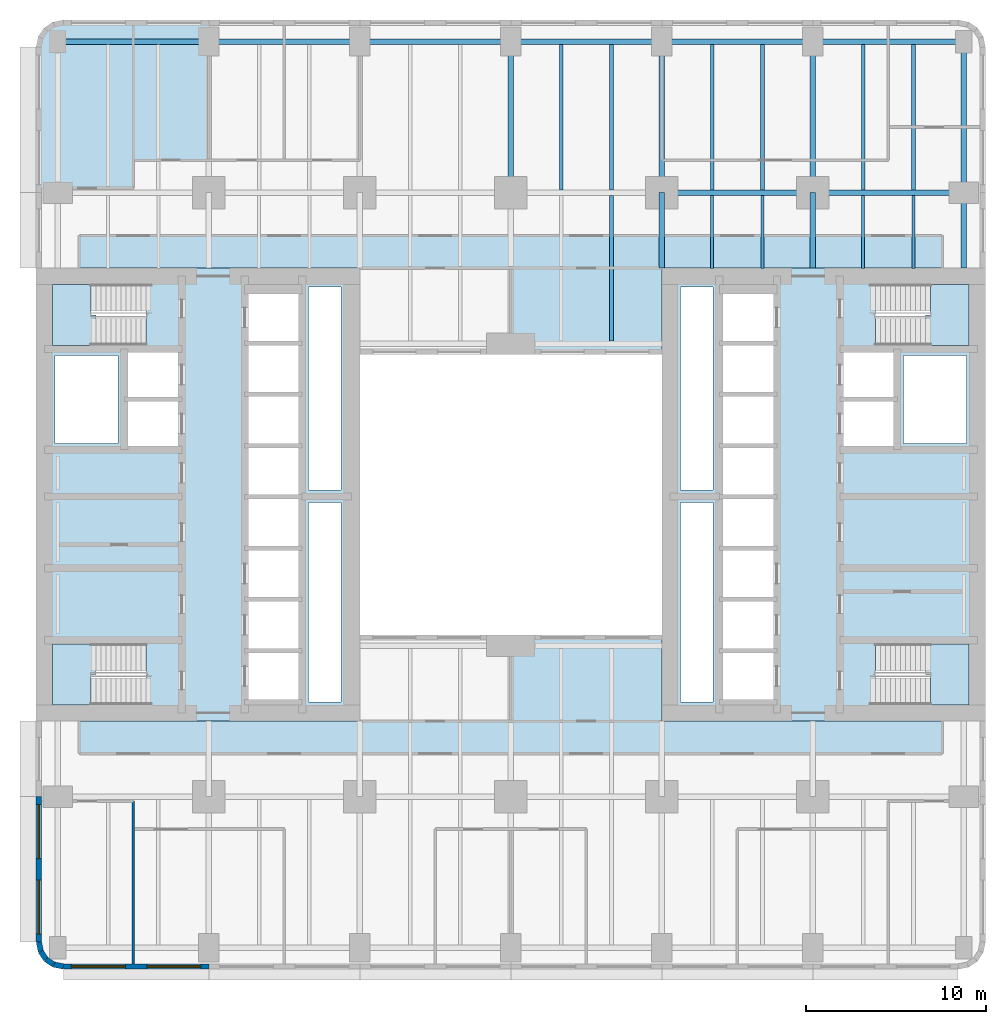
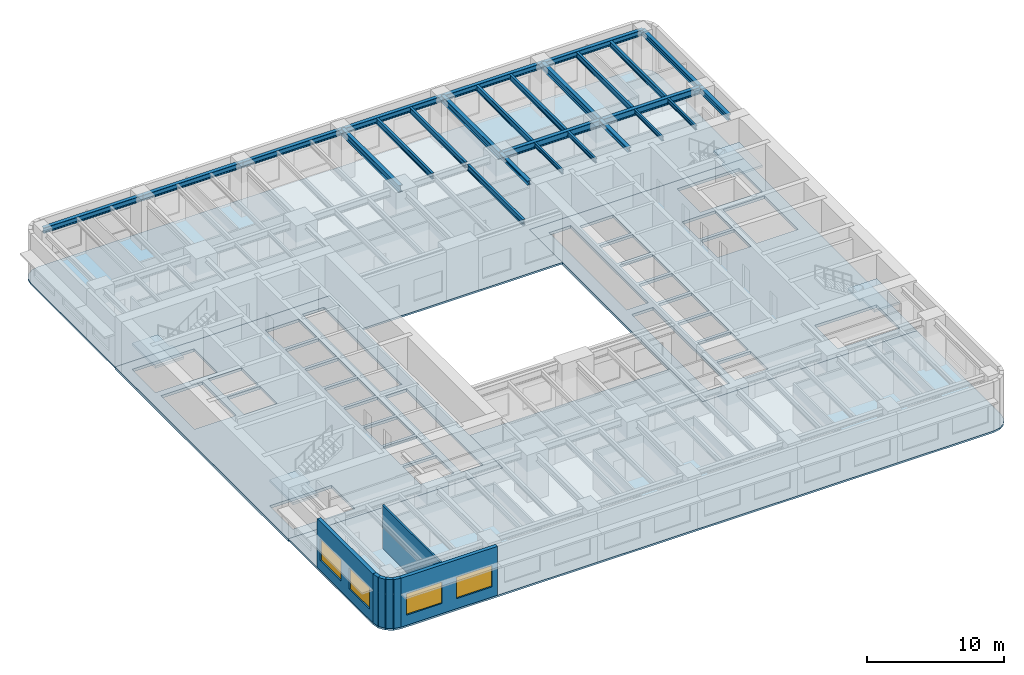
# One storey, part 2 of 14: 26 beams, 8 slabs, 7 walls, 4 windows, 4 openings, 4 elements without a shape of their own.
"""IFC4 building model written with IfcOpenShell, lengths in metres."""

from ifc_helpers import new_model, si_unit, direction, frame, frame_2d, origin, origin_2d, place, context, subcontext, project, spatial, polyline, rectangle, i_section, outline, extrude, material, layer, layer_set, material_profile, profile_set, type_object, element, fill, aggregate, save


model = new_model("IFC4")

# Units and contexts
model_context = context("Model", 3, precision=1e-05, world=origin(), true_north=direction((0.0, 1.0)))
body_context = subcontext(model_context, "Body", "Model", "MODEL_VIEW")
ifc_project = project(units=[si_unit("LENGTHUNIT", "METRE"), si_unit("AREAUNIT", "SQUARE_METRE"), si_unit("VOLUMEUNIT", "CUBIC_METRE"), si_unit("PLANEANGLEUNIT", "RADIAN"), si_unit("MASSUNIT", "GRAM", prefix="KILO")], contexts=[model_context])

# Site, building, storey
site_placement = place(None, origin())
site = spatial("IfcSite", under=ifc_project, at=site_placement, CompositionType="ELEMENT")
building_placement = place(site_placement, origin())
building = spatial("IfcBuilding", under=site, at=building_placement, Name="Claustro Exchange Tower", CompositionType="ELEMENT")
storey_placement = place(building_placement, frame((0.0, 0.0, 77.39990234375)))
storey = spatial("IfcBuildingStorey", under=building, at=storey_placement, Name="L17", CompositionType="ELEMENT", Elevation=77.39990234375)

# Beams
ifc_material_1 = material(Name="Steel S355", Category="steel")
ifc_material_profile_1 = material_profile(ifc_material_1, i_section(OverallWidth=0.300048828125, OverallDepth=0.60009765625, WebThickness=0.015380859375, FlangeThickness=0.030029296875, FilletRadius=0.027099609375, at=origin_2d()), Name="HE 600 B")
ifc_profile_set_1 = profile_set([ifc_material_profile_1], Name="Steel S355")
beam_type_1 = type_object("IfcBeamType", Name="B1 HE 600 B floor girder", PredefinedType="BEAM", material=ifc_profile_set_1)
for number, where, z_axis, x_axis, name in (
    (1, (25.199951171875, 42.0, 4.0400390625), (0.0, 1.0, 0.0), (-1.0, 0.0, 0.0), "Beam B1 L18"),
    (2, (33.60009765625, 42.0, 4.0400390625), (0.0, 1.0, 0.0), (-1.0, 0.0, 0.0), "Beam B1 L18"),
    (3, (42.0, 42.0, 4.0400390625), (0.0, 1.0, 0.0), (-1.0, 0.0, 0.0), "Beam B1 L18"),
    (4, (33.60009765625, 42.0, 4.0400390625), (1.0, 0.0, 0.0), (0.0, 1.0, 0.0), "Beam B1 L18"),
    (5, (42.0, 42.0, 4.0400390625), (1.0, 0.0, 0.0), (0.0, 1.0, 0.0), "Beam B1 L18"),
):
    element("IfcBeam", number, at=place(storey_placement, frame(where, z_axis=z_axis, x_axis=x_axis)), inside=storey, type_object=beam_type_1, Name=name, PredefinedType="BEAM", context=body_context, shape_type="SweptSolid", body=[
        extrude(i_section(OverallWidth=0.300048828125, OverallDepth=0.60009765625, WebThickness=0.015380859375, FlangeThickness=0.030029296875, FilletRadius=0.027099609375, at=origin_2d()), origin(), (0.0, 0.0, 1.0), 8.39990234375),
    ])
ifc_material_2 = material(Name="Steel S355", Category="steel")
ifc_material_profile_2 = material_profile(ifc_material_2, i_section(OverallWidth=0.169921875, OverallDepth=0.360107421875, WebThickness=0.008056640625, FlangeThickness=0.0126953125, FilletRadius=0.01806640625, at=origin_2d()), Name="IPE 360")
ifc_profile_set_2 = profile_set([ifc_material_profile_2], Name="Steel S355")
beam_type_2 = type_object("IfcBeamType", Name="B16 IPE 360 short-span beam", PredefinedType="BEAM", material=ifc_profile_set_2)
for number, where, z_axis, x_axis, name in (
    (6, (36.39990234375, 37.7900390625, 4.16015625), (0.0, 1.0, 0.0), (-1.0, 0.0, 0.0), "Beam B16 L18"),
    (7, (39.199951171875, 37.7900390625, 4.16015625), (0.0, 1.0, 0.0), (-1.0, 0.0, 0.0), "Beam B16 L18"),
    (8, (44.800048828125, 37.7900390625, 4.16015625), (0.0, 1.0, 0.0), (-1.0, 0.0, 0.0), "Beam B16 L18"),
    (9, (47.60009765625, 37.7900390625, 4.16015625), (0.0, 1.0, 0.0), (-1.0, 0.0, 0.0), "Beam B16 L18"),
):
    element("IfcBeam", number, at=place(storey_placement, frame(where, z_axis=z_axis, x_axis=x_axis)), inside=storey, type_object=beam_type_2, Name=name, PredefinedType="BEAM", context=body_context, shape_type="SweptSolid", body=[
        extrude(i_section(OverallWidth=0.169921875, OverallDepth=0.360107421875, WebThickness=0.008056640625, FlangeThickness=0.0126953125, FilletRadius=0.01806640625, at=origin_2d()), origin(), (0.0, 0.0, 1.0), 4.06005859375),
    ])
ifc_material_3 = material(Name="Steel S355", Category="steel")
ifc_material_profile_3 = material_profile(ifc_material_3, i_section(OverallWidth=0.199951171875, OverallDepth=0.5, WebThickness=0.01025390625, FlangeThickness=0.01611328125, FilletRadius=0.02099609375, at=origin_2d()), Name="IPE 500")
ifc_profile_set_3 = profile_set([ifc_material_profile_3], Name="Steel S355")
beam_type_3 = type_object("IfcBeamType", Name="B2 IPE 500 secondary beam", PredefinedType="BEAM", material=ifc_profile_set_3)
for number, where, z_axis, x_axis, name in (
    (10, (30.800048828125, 33.75, 4.090087890625), (0.0, 1.0, 0.0), (-1.0, 0.0, 0.0), "Beam B2 L18"),
    (11, (28.0, 42.14990234375, 4.090087890625), (0.0, 1.0, 0.0), (-1.0, 0.0, 0.0), "Beam B2 L18"),
    (12, (30.800048828125, 42.14990234375, 4.090087890625), (0.0, 1.0, 0.0), (-1.0, 0.0, 0.0), "Beam B2 L18"),
    (13, (36.39990234375, 42.14990234375, 4.090087890625), (0.0, 1.0, 0.0), (-1.0, 0.0, 0.0), "Beam B2 L18"),
    (14, (39.199951171875, 42.14990234375, 4.090087890625), (0.0, 1.0, 0.0), (-1.0, 0.0, 0.0), "Beam B2 L18"),
    (15, (44.800048828125, 42.14990234375, 4.090087890625), (0.0, 1.0, 0.0), (-1.0, 0.0, 0.0), "Beam B2 L18"),
    (16, (47.60009765625, 42.14990234375, 4.090087890625), (0.0, 1.0, 0.0), (-1.0, 0.0, 0.0), "Beam B2 L18"),
):
    element("IfcBeam", number, at=place(storey_placement, frame(where, z_axis=z_axis, x_axis=x_axis)), inside=storey, type_object=beam_type_3, Name=name, PredefinedType="BEAM", context=body_context, shape_type="SweptSolid", body=[
        extrude(i_section(OverallWidth=0.199951171875, OverallDepth=0.5, WebThickness=0.01025390625, FlangeThickness=0.01611328125, FilletRadius=0.02099609375, at=origin_2d()), origin(), (0.0, 0.0, 1.0), 8.10009765625),
    ])
ifc_material_4 = material(Name="Steel S355", Category="steel")
ifc_material_profile_4 = material_profile(ifc_material_4, i_section(OverallWidth=0.300048828125, OverallDepth=0.360107421875, WebThickness=0.012451171875, FlangeThickness=0.0224609375, FilletRadius=0.027099609375, at=origin_2d()), Name="HE 360 B")
ifc_profile_set_4 = profile_set([ifc_material_profile_4], Name="Steel S355")
beam_type_4 = type_object("IfcBeamType", Name="B29 HE 360 B column to core link beam", PredefinedType="BEAM", material=ifc_profile_set_4)
for number, where, z_axis, x_axis, name in (
    (17, (33.60009765625, 37.800048828125, 4.16015625), (0.0, 1.0, 0.0), (-1.0, 0.0, 0.0), "Beam B29 L18"),
    (18, (42.0, 37.800048828125, 4.16015625), (0.0, 1.0, 0.0), (-1.0, 0.0, 0.0), "Beam B29 L18"),
):
    element("IfcBeam", number, at=place(storey_placement, frame(where, z_axis=z_axis, x_axis=x_axis)), inside=storey, type_object=beam_type_4, Name=name, PredefinedType="BEAM", context=body_context, shape_type="SweptSolid", body=[
        extrude(i_section(OverallWidth=0.300048828125, OverallDepth=0.360107421875, WebThickness=0.012451171875, FlangeThickness=0.0224609375, FilletRadius=0.027099609375, at=origin_2d()), origin(), (0.0, 0.0, 1.0), 4.199951171875),
    ])
ifc_material_5 = material(Name="Steel S355", Category="steel")
ifc_material_profile_5 = material_profile(ifc_material_5, i_section(OverallWidth=0.300048828125, OverallDepth=0.5, WebThickness=0.014404296875, FlangeThickness=0.028076171875, FilletRadius=0.027099609375, at=origin_2d()), Name="HE 500 B")
ifc_profile_set_5 = profile_set([ifc_material_profile_5], Name="Steel S355")
beam_type_5 = type_object("IfcBeamType", Name="B3 HE 500 B spandrel edge girder", PredefinedType="SPANDREL", material=ifc_profile_set_5)
beam_1_placement = place(storey_placement, frame((50.39990234375, 37.800048828125, 4.090087890625), z_axis=(0.0, 1.0, 0.0), x_axis=(-1.0, 0.0, 0.0)))
element("IfcBeam", 19, at=beam_1_placement, inside=storey, type_object=beam_type_5, Name="Beam B3 L18", PredefinedType="SPANDREL", context=body_context, shape_type="SweptSolid", body=[
    extrude(i_section(OverallWidth=0.300048828125, OverallDepth=0.5, WebThickness=0.014404296875, FlangeThickness=0.028076171875, FilletRadius=0.027099609375, at=origin_2d()), origin(), (0.0, 0.0, 1.0), 4.199951171875),
])
for number, where, z_axis, x_axis, name in (
    (20, (50.39990234375, 42.0, 4.090087890625), (0.0, 1.0, 0.0), (-1.0, 0.0, 0.0), "Beam B3 L18"),
    (21, (0.0, 50.39990234375, 4.090087890625), (1.0, 0.0, 0.0), (0.0, 1.0, 0.0), "Beam B3 L18"),
):
    element("IfcBeam", number, at=place(storey_placement, frame(where, z_axis=z_axis, x_axis=x_axis)), inside=storey, type_object=beam_type_5, Name=name, PredefinedType="SPANDREL", context=body_context, shape_type="SweptSolid", body=[
        extrude(i_section(OverallWidth=0.300048828125, OverallDepth=0.5, WebThickness=0.014404296875, FlangeThickness=0.028076171875, FilletRadius=0.027099609375, at=origin_2d()), origin(), (0.0, 0.0, 1.0), 8.39990234375),
    ])
beam_2_placement = place(storey_placement, frame((8.39990234375, 50.39990234375, 4.090087890625), z_axis=(1.0, 0.0, 0.0), x_axis=(0.0, 1.0, 0.0)))
element("IfcBeam", 22, at=beam_2_placement, inside=storey, type_object=beam_type_5, Name="Beam B3 L18", PredefinedType="SPANDREL", context=body_context, shape_type="SweptSolid", body=[
    extrude(i_section(OverallWidth=0.300048828125, OverallDepth=0.5, WebThickness=0.014404296875, FlangeThickness=0.028076171875, FilletRadius=0.027099609375, at=origin_2d()), origin(), (0.0, 0.0, 1.0), 8.400146484375),
])
beam_3_placement = place(storey_placement, frame((16.800048828125, 50.39990234375, 4.090087890625), z_axis=(1.0, 0.0, 0.0), x_axis=(0.0, 1.0, 0.0)))
element("IfcBeam", 23, at=beam_3_placement, inside=storey, type_object=beam_type_5, Name="Beam B3 L18", PredefinedType="SPANDREL", context=body_context, shape_type="SweptSolid", body=[
    extrude(i_section(OverallWidth=0.300048828125, OverallDepth=0.5, WebThickness=0.014404296875, FlangeThickness=0.028076171875, FilletRadius=0.027099609375, at=origin_2d()), origin(), (0.0, 0.0, 1.0), 8.39990234375),
])
beam_4_placement = place(storey_placement, frame((25.199951171875, 50.39990234375, 4.090087890625), z_axis=(1.0, 0.0, 0.0), x_axis=(0.0, 1.0, 0.0)))
element("IfcBeam", 24, at=beam_4_placement, inside=storey, type_object=beam_type_5, Name="Beam B3 L18", PredefinedType="SPANDREL", context=body_context, shape_type="SweptSolid", body=[
    extrude(i_section(OverallWidth=0.300048828125, OverallDepth=0.5, WebThickness=0.014404296875, FlangeThickness=0.028076171875, FilletRadius=0.027099609375, at=origin_2d()), origin(), (0.0, 0.0, 1.0), 8.400146484375),
])
for number, where, z_axis, x_axis, name in (
    (25, (33.60009765625, 50.39990234375, 4.090087890625), (1.0, 0.0, 0.0), (0.0, 1.0, 0.0), "Beam B3 L18"),
    (26, (42.0, 50.39990234375, 4.090087890625), (1.0, 0.0, 0.0), (0.0, 1.0, 0.0), "Beam B3 L18"),
):
    element("IfcBeam", number, at=place(storey_placement, frame(where, z_axis=z_axis, x_axis=x_axis)), inside=storey, type_object=beam_type_5, Name=name, PredefinedType="SPANDREL", context=body_context, shape_type="SweptSolid", body=[
        extrude(i_section(OverallWidth=0.300048828125, OverallDepth=0.5, WebThickness=0.014404296875, FlangeThickness=0.028076171875, FilletRadius=0.027099609375, at=origin_2d()), origin(), (0.0, 0.0, 1.0), 8.39990234375),
    ])

# Slabs
ifc_material_6 = material(Name="Concrete HA-50 (C50/60)", Category="concrete")
ifc_layer_1 = layer(ifc_material_6, 0.159912109375)
ifc_layer_set_1 = layer_set([ifc_layer_1], Name="Concrete HA-50 (C50/60)")
slab_type_1 = type_object("IfcSlabType", Name="S1 160 composite floor slab", PredefinedType="FLOOR", material=ifc_layer_set_1)
slab_1_placement = place(storey_placement, frame((0.0, 0.0, -0.159912109375)))
element("IfcSlab", 27, at=slab_1_placement, inside=storey, type_object=slab_type_1, Name="Floor slab S1 S L17", PredefinedType="FLOOR", context=body_context, shape_type="SweptSolid", body=[
    extrude(outline(polyline([(-0.27392578125, -1.085693359375), (0.300048828125, -1.199951171875), (50.10009765625, -1.199951171875), (50.674072265625, -1.085693359375), (51.16064453125, -0.7607421875), (51.48583984375, -0.27392578125), (51.60009765625, 0.300048828125), (51.60009765625, 12.60009765625), (33.60009765625, 12.60009765625), (33.60009765625, 17.39990234375), (16.800048828125, 17.39990234375), (16.800048828125, 12.60009765625), (-1.199951171875, 12.60009765625), (-1.199951171875, 0.300048828125), (-1.085693359375, -0.27392578125), (-0.7607421875, -0.7607421875), (-0.27392578125, -1.085693359375)])), origin(), (0.0, 0.0, 1.0), 0.159912109375),
])
slab_2_placement = place(storey_placement, frame((0.0, 0.0, -0.159912109375)))
element("IfcSlab", 28, at=slab_2_placement, inside=storey, type_object=slab_type_1, Name="Floor slab S1 N L17", PredefinedType="FLOOR", context=body_context, shape_type="SweptSolid", body=[
    extrude(outline(polyline([(16.800048828125, 37.800048828125), (16.800048828125, 33.0), (33.60009765625, 33.0), (33.60009765625, 37.800048828125), (51.60009765625, 37.800048828125), (51.60009765625, 50.10009765625), (51.48583984375, 50.674072265625), (51.16064453125, 51.16064453125), (50.674072265625, 51.48583984375), (50.10009765625, 51.60009765625), (0.300048828125, 51.60009765625), (-0.27392578125, 51.48583984375), (-0.7607421875, 51.16064453125), (-1.085693359375, 50.674072265625), (-1.199951171875, 50.10009765625), (-1.199951171875, 37.800048828125), (16.800048828125, 37.800048828125)])), origin(), (0.0, 0.0, 1.0), 0.159912109375),
])
ifc_material_7 = material(Name="Concrete HA-50 (C50/60)", Category="concrete")
ifc_layer_2 = layer(ifc_material_7, 0.25)
ifc_layer_set_2 = layer_set([ifc_layer_2], Name="Concrete HA-50 (C50/60)")
slab_type_2 = type_object("IfcSlabType", Name="S7 250 core floor slab", PredefinedType="FLOOR", material=ifc_layer_set_2)
slab_3_placement = place(storey_placement, frame((0.0, 0.0, -0.25)))
element("IfcSlab", 29, at=slab_3_placement, inside=storey, type_object=slab_type_2, Name="Core floor slab S7 W core L17", PredefinedType="FLOOR", context=body_context, shape_type="SweptSolid", body=[
    extrude(outline(polyline([(-1.199951171875, 12.60009765625), (16.800048828125, 12.60009765625), (16.800048828125, 37.800048828125), (-1.199951171875, 37.800048828125), (-1.199951171875, 12.60009765625)]), holes=[polyline([(15.75, 24.75), (15.75, 13.64990234375), (13.949951171875, 13.64990234375), (13.949951171875, 24.75), (15.75, 24.75)]), polyline([(15.75, 36.75), (15.75, 25.449951171875), (13.949951171875, 25.449951171875), (13.949951171875, 36.75), (15.75, 36.75)]), polyline([(10.60009765625, 16.39990234375), (13.39990234375, 16.39990234375), (13.39990234375, 13.800048828125), (10.60009765625, 13.800048828125), (10.60009765625, 16.39990234375)]), polyline([(13.39990234375, 19.25), (13.39990234375, 16.64990234375), (10.60009765625, 16.64990234375), (10.60009765625, 19.25), (13.39990234375, 19.25)]), polyline([(13.39990234375, 22.10009765625), (13.39990234375, 19.5), (10.60009765625, 19.5), (10.60009765625, 22.10009765625), (13.39990234375, 22.10009765625)]), polyline([(13.39990234375, 24.949951171875), (13.39990234375, 22.35009765625), (10.60009765625, 22.35009765625), (10.60009765625, 24.949951171875), (13.39990234375, 24.949951171875)]), polyline([(13.39990234375, 27.800048828125), (13.39990234375, 25.199951171875), (10.60009765625, 25.199951171875), (10.60009765625, 27.800048828125), (13.39990234375, 27.800048828125)]), polyline([(13.39990234375, 30.64990234375), (13.39990234375, 28.050048828125), (10.60009765625, 28.050048828125), (10.60009765625, 30.64990234375), (13.39990234375, 30.64990234375)]), polyline([(13.39990234375, 33.5), (13.39990234375, 30.89990234375), (10.60009765625, 30.89990234375), (10.60009765625, 33.5), (13.39990234375, 33.5)]), polyline([(13.39990234375, 36.35009765625), (13.39990234375, 33.75), (10.60009765625, 33.75), (10.60009765625, 36.35009765625), (13.39990234375, 36.35009765625)]), polyline([(6.699951171875, 30.375), (6.699951171875, 27.89990234375), (3.89990234375, 27.89990234375), (3.89990234375, 30.375), (6.699951171875, 30.375)]), polyline([(6.699951171875, 33.10009765625), (6.699951171875, 30.625), (3.89990234375, 30.625), (3.89990234375, 33.10009765625), (6.699951171875, 33.10009765625)]), polyline([(-0.300048828125, 15.199951171875), (-0.300048828125, 16.89990234375), (4.9150390625, 16.89990234375), (4.9150390625, 15.199951171875), (4.919921875, 15.199951171875), (4.919921875, 13.5), (-0.300048828125, 13.5), (-0.300048828125, 15.199951171875)]), polyline([(-0.300048828125, 36.89990234375), (4.919921875, 36.89990234375), (4.919921875, 35.199951171875), (4.9150390625, 35.199951171875), (4.9150390625, 33.5), (-0.300048828125, 33.5), (-0.300048828125, 35.199951171875), (-0.300048828125, 36.89990234375)]), polyline([(3.35009765625, 32.949951171875), (3.35009765625, 28.050048828125), (-0.14990234375, 28.050048828125), (-0.14990234375, 32.949951171875), (3.35009765625, 32.949951171875)])]), origin(), (0.0, 0.0, 1.0), 0.25),
])
slab_4_placement = place(storey_placement, frame((0.0, 0.0, -0.25)))
element("IfcSlab", 30, at=slab_4_placement, inside=storey, type_object=slab_type_2, Name="Core floor slab S7 E core L17", PredefinedType="FLOOR", context=body_context, shape_type="SweptSolid", body=[
    extrude(outline(polyline([(33.60009765625, 12.60009765625), (51.60009765625, 12.60009765625), (51.60009765625, 37.800048828125), (33.60009765625, 37.800048828125), (33.60009765625, 12.60009765625)]), holes=[polyline([(45.47998046875, 35.199951171875), (45.47998046875, 36.89990234375), (50.699951171875, 36.89990234375), (50.699951171875, 35.199951171875), (50.699951171875, 33.5), (45.485107421875, 33.5), (45.485107421875, 35.199951171875), (45.47998046875, 35.199951171875)]), polyline([(45.485107421875, 15.199951171875), (45.485107421875, 16.89990234375), (50.699951171875, 16.89990234375), (50.699951171875, 15.199951171875), (50.699951171875, 13.5), (45.47998046875, 13.5), (45.47998046875, 15.199951171875), (45.485107421875, 15.199951171875)]), polyline([(50.550048828125, 32.949951171875), (50.550048828125, 28.050048828125), (47.050048828125, 28.050048828125), (47.050048828125, 32.949951171875), (50.550048828125, 32.949951171875)]), polyline([(46.5, 30.375), (46.5, 27.89990234375), (43.699951171875, 27.89990234375), (43.699951171875, 30.375), (46.5, 30.375)]), polyline([(46.5, 33.10009765625), (46.5, 30.625), (43.699951171875, 30.625), (43.699951171875, 33.10009765625), (46.5, 33.10009765625)]), polyline([(37.0, 16.39990234375), (39.800048828125, 16.39990234375), (39.800048828125, 13.800048828125), (37.0, 13.800048828125), (37.0, 16.39990234375)]), polyline([(39.800048828125, 19.25), (39.800048828125, 16.64990234375), (37.0, 16.64990234375), (37.0, 19.25), (39.800048828125, 19.25)]), polyline([(39.800048828125, 22.10009765625), (39.800048828125, 19.5), (37.0, 19.5), (37.0, 22.10009765625), (39.800048828125, 22.10009765625)]), polyline([(39.800048828125, 24.949951171875), (39.800048828125, 22.35009765625), (37.0, 22.35009765625), (37.0, 24.949951171875), (39.800048828125, 24.949951171875)]), polyline([(39.800048828125, 27.800048828125), (39.800048828125, 25.199951171875), (37.0, 25.199951171875), (37.0, 27.800048828125), (39.800048828125, 27.800048828125)]), polyline([(39.800048828125, 30.64990234375), (39.800048828125, 28.050048828125), (37.0, 28.050048828125), (37.0, 30.64990234375), (39.800048828125, 30.64990234375)]), polyline([(39.800048828125, 33.5), (39.800048828125, 30.89990234375), (37.0, 30.89990234375), (37.0, 33.5), (39.800048828125, 33.5)]), polyline([(39.800048828125, 36.35009765625), (39.800048828125, 33.75), (37.0, 33.75), (37.0, 36.35009765625), (39.800048828125, 36.35009765625)]), polyline([(36.449951171875, 24.75), (36.449951171875, 13.64990234375), (34.64990234375, 13.64990234375), (34.64990234375, 24.75), (36.449951171875, 24.75)]), polyline([(36.449951171875, 36.75), (36.449951171875, 25.449951171875), (34.64990234375, 25.449951171875), (34.64990234375, 36.75), (36.449951171875, 36.75)])]), origin(), (0.0, 0.0, 1.0), 0.25),
])

# Stair, slab
ifc_material_8 = material(Name="Concrete HA-30 (C30/37), precast", Category="concrete")
stair_type = type_object("IfcStairType", Name="ST2 half-turn stair, 25 risers of 180", PredefinedType="HALF_TURN_STAIR", material=ifc_material_8)
stair_1_placement = place(storey_placement, origin())
stair_1 = element("IfcStair", 31, at=stair_1_placement, inside=storey, type_object=stair_type, Name="Stair STWA L17", PredefinedType="HALF_TURN_STAIR")
ifc_material_9 = material(Name="Concrete HA-30 (C30/37), precast", Category="concrete")
ifc_layer_3 = layer(ifc_material_9, 0.199951171875)
ifc_layer_set_3 = layer_set([ifc_layer_3], Name="Concrete HA-30 (C30/37), precast")
slab_type_3 = type_object("IfcSlabType", Name="S9 200 stair landing", PredefinedType="LANDING", material=ifc_layer_set_3)
slab_5_placement = place(storey_placement, frame((0.0, 0.0, 2.14013671875)))
slab_5 = element("IfcSlab", 32, at=slab_5_placement, type_object=slab_type_3, Name="STWA landing 1", PredefinedType="LANDING", context=body_context, shape_type="SweptSolid", body=[
    extrude(outline(polyline([(1.844970703125, 13.5), (-0.300048828125, 13.5), (-0.300048828125, 16.89990234375), (1.840087890625, 16.89990234375), (1.844970703125, 16.89990234375), (2.1201171875, 16.89990234375), (2.1201171875, 15.199951171875), (1.844970703125, 15.199951171875), (1.844970703125, 13.5)])), origin(), (0.0, 0.0, 1.0), 0.199951171875),
])
aggregate(stair_1, [slab_5])

stair_2_placement = place(storey_placement, origin())
stair_2 = element("IfcStair", 33, at=stair_2_placement, inside=storey, type_object=stair_type, Name="Stair STWB L17", PredefinedType="HALF_TURN_STAIR")
slab_6_placement = place(storey_placement, frame((0.0, 0.0, 2.14013671875)))
slab_6 = element("IfcSlab", 34, at=slab_6_placement, type_object=slab_type_3, Name="STWB landing 1", PredefinedType="LANDING", context=body_context, shape_type="SweptSolid", body=[
    extrude(outline(polyline([(2.1201171875, 35.199951171875), (2.1201171875, 33.5), (1.844970703125, 33.5), (1.840087890625, 33.5), (-0.300048828125, 33.5), (-0.300048828125, 36.89990234375), (1.844970703125, 36.89990234375), (1.844970703125, 35.199951171875), (2.1201171875, 35.199951171875)])), origin(), (0.0, 0.0, 1.0), 0.199951171875),
])
aggregate(stair_2, [slab_6])

stair_3_placement = place(storey_placement, origin())
stair_3 = element("IfcStair", 35, at=stair_3_placement, inside=storey, type_object=stair_type, Name="Stair STEA L17", PredefinedType="HALF_TURN_STAIR")
slab_7_placement = place(storey_placement, frame((0.0, 0.0, 2.14013671875)))
slab_7 = element("IfcSlab", 36, at=slab_7_placement, type_object=slab_type_3, Name="STEA landing 1", PredefinedType="LANDING", context=body_context, shape_type="SweptSolid", body=[
    extrude(outline(polyline([(50.699951171875, 16.89990234375), (50.699951171875, 13.5), (48.554931640625, 13.5), (48.554931640625, 15.199951171875), (48.280029296875, 15.199951171875), (48.280029296875, 16.89990234375), (48.554931640625, 16.89990234375), (48.56005859375, 16.89990234375), (50.699951171875, 16.89990234375)])), origin(), (0.0, 0.0, 1.0), 0.199951171875),
])
aggregate(stair_3, [slab_7])

stair_4_placement = place(storey_placement, origin())
stair_4 = element("IfcStair", 37, at=stair_4_placement, inside=storey, type_object=stair_type, Name="Stair STEB L17", PredefinedType="HALF_TURN_STAIR")
slab_8_placement = place(storey_placement, frame((0.0, 0.0, 2.14013671875)))
slab_8 = element("IfcSlab", 38, at=slab_8_placement, type_object=slab_type_3, Name="STEB landing 1", PredefinedType="LANDING", context=body_context, shape_type="SweptSolid", body=[
    extrude(outline(polyline([(48.280029296875, 33.5), (48.280029296875, 35.199951171875), (48.554931640625, 35.199951171875), (48.554931640625, 36.89990234375), (50.699951171875, 36.89990234375), (50.699951171875, 33.5), (48.56005859375, 33.5), (48.554931640625, 33.5), (48.280029296875, 33.5)])), origin(), (0.0, 0.0, 1.0), 0.199951171875),
])
aggregate(stair_4, [slab_8])

# Wall
ifc_material_10 = material(Name="Gypsum board on steel studs", Category="steel")
ifc_layer_4 = layer(ifc_material_10, 0.14990234375)
ifc_layer_set_4 = layer_set([ifc_layer_4], Name="Gypsum board on steel studs")
wall_type_1 = type_object("IfcWallType", Name="P1 150 plasterboard partition", PredefinedType="PARTITIONING", material=ifc_layer_set_4)
wall_1_placement = place(storey_placement, frame((4.199951171875, -0.902099609375, 0.0), z_axis=(0.0, 0.0, 1.0), x_axis=(0.0, 1.0, 0.0)))
element("IfcWall", 39, at=wall_1_placement, inside=storey, type_object=wall_type_1, Name="Partition P1 L17", PredefinedType="PARTITIONING", context=body_context, shape_type="SweptSolid", body=[
    extrude(rectangle(XDim=9.052001953125, YDim=0.14990234375, at=frame_2d((4.52587890625, 0.0))), origin(), (0.0, 0.0, 1.0), 3.840087890625),
])

# Wall, openings, windows
ifc_material_11 = material(Name="Concrete HA-40 (C40/50), precast, white cement, acid-etched", Category="concrete")
ifc_layer_5 = layer(ifc_material_11, 0.300048828125)
ifc_layer_set_5 = layer_set([ifc_layer_5], Name="Concrete HA-40 (C40/50), precast, white cement, acid-etched")
wall_type_2 = type_object("IfcWallType", Name="PC1 300 precast concrete pier panel", PredefinedType="SOLIDWALL", material=ifc_layer_set_5)
wall_2_placement = place(storey_placement, frame((8.39990234375, -1.050048828125, 0.0), z_axis=(0.0, 0.0, 1.0), x_axis=(-1.0, 0.0, 0.0)))
wall_2 = element("IfcWall", 40, at=wall_2_placement, inside=storey, type_object=wall_type_2, Name="Precast pier panel PC1 L17", PredefinedType="SOLIDWALL", context=body_context, shape_type="SweptSolid", body=[
    extrude(rectangle(XDim=8.085205078125, YDim=0.300048828125, at=frame_2d((4.04248046875, 0.0))), origin(), (0.0, 0.0, 1.0), 4.340087890625),
])
opening_1_placement = place(wall_2_placement, frame((0.442626953125, 0.0, 0.89990234375)))
opening_1 = element("IfcOpeningElement", 41, at=opening_1_placement, cuts=wall_2, Name="Opening W1", PredefinedType="OPENING", context=body_context, shape_type="SweptSolid", body=[
    extrude(rectangle(XDim=3.0, YDim=1.89990234375, at=frame_2d((1.5, 0.949951171875))), frame((0.0, 0.159912109375, 0.0), z_axis=(0.0, -1.0, 0.0), x_axis=(1.0, 0.0, 0.0)), (0.0, 0.0, 1.0), 0.320068359375),
])
opening_2_placement = place(wall_2_placement, frame((4.642578125, 0.0, 0.89990234375)))
opening_2 = element("IfcOpeningElement", 42, at=opening_2_placement, cuts=wall_2, Name="Opening W1", PredefinedType="OPENING", context=body_context, shape_type="SweptSolid", body=[
    extrude(rectangle(XDim=3.0, YDim=1.89990234375, at=frame_2d((1.5, 0.949951171875))), frame((0.0, 0.159912109375, 0.0), z_axis=(0.0, -1.0, 0.0), x_axis=(1.0, 0.0, 0.0)), (0.0, 0.0, 1.0), 0.320068359375),
])
ifc_material_12 = material(Name="Aluminium frame, clear double glazing", Category="aluminium")
window_type = type_object("IfcWindowType", Name="W1 3000 x 1900 window", PartitioningType="SINGLE_PANEL", PredefinedType="WINDOW", material=ifc_material_12)
window_1_placement = place(opening_1_placement, origin())
window_1 = element("IfcWindow", 43, at=window_1_placement, inside=storey, type_object=window_type, Name="Window W1 L17", OverallHeight=1.89990234375, OverallWidth=3.0, PartitioningType="SINGLE_PANEL", PredefinedType="WINDOW", context=body_context, shape_type="SweptSolid", body=[
    extrude(rectangle(XDim=3.0, YDim=1.89990234375, at=frame_2d((1.5, 0.949951171875))), frame((0.0, 0.030029296875, 0.0), z_axis=(0.0, -1.0, 0.0), x_axis=(1.0, 0.0, 0.0)), (0.0, 0.0, 1.0), 0.06005859375),
])
fill(opening_1, window_1)
window_2_placement = place(opening_2_placement, origin())
window_2 = element("IfcWindow", 44, at=window_2_placement, inside=storey, type_object=window_type, Name="Window W1 L17", OverallHeight=1.89990234375, OverallWidth=3.0, PartitioningType="SINGLE_PANEL", PredefinedType="WINDOW", context=body_context, shape_type="SweptSolid", body=[
    extrude(rectangle(XDim=3.0, YDim=1.89990234375, at=frame_2d((1.5, 0.949951171875))), frame((0.0, 0.030029296875, 0.0), z_axis=(0.0, -1.0, 0.0), x_axis=(1.0, 0.0, 0.0)), (0.0, 0.0, 1.0), 0.06005859375),
])
fill(opening_2, window_2)

# Walls
wall_3_placement = place(storey_placement, frame((0.314697265625, -1.050048828125, 0.0), z_axis=(0.0, 0.0, 1.0), x_axis=(-0.980788534345, 0.195073962632, 0.0)))
element("IfcWall", 45, at=wall_3_placement, inside=storey, type_object=wall_type_2, Name="Precast pier panel PC1 L17", PredefinedType="SOLIDWALL", context=body_context, shape_type="SweptSolid", body=[
    extrude(rectangle(XDim=0.540771484375, YDim=0.300048828125, at=frame_2d((0.2705078125, 0.0))), origin(), (0.0, 0.0, 1.0), 4.340087890625),
])
for number, where, z_axis, x_axis, name in (
    (46, (-0.215576171875, -0.944580078125, 0.0), (0.0, 0.0, 1.0), (-0.831478144188, 0.555557463938, 0.0), "Precast pier panel PC1 L17"),
    (47, (-0.652587890625, -0.652587890625, 0.0), (0.0, 0.0, 1.0), (-0.555557463938, 0.831478144188, 0.0), "Precast pier panel PC1 L17"),
):
    element("IfcWall", number, at=place(storey_placement, frame(where, z_axis=z_axis, x_axis=x_axis)), inside=storey, type_object=wall_type_2, Name=name, PredefinedType="SOLIDWALL", context=body_context, shape_type="SweptSolid", body=[
        extrude(rectangle(XDim=0.525634765625, YDim=0.300048828125, at=frame_2d((0.2626953125, 0.0))), origin(), (0.0, 0.0, 1.0), 4.340087890625),
    ])
wall_4_placement = place(storey_placement, frame((-0.944580078125, -0.215576171875, 0.0), z_axis=(0.0, 0.0, 1.0), x_axis=(-0.195073962632, 0.980788534345, 0.0)))
element("IfcWall", 48, at=wall_4_placement, inside=storey, type_object=wall_type_2, Name="Precast pier panel PC1 L17", PredefinedType="SOLIDWALL", context=body_context, shape_type="SweptSolid", body=[
    extrude(rectangle(XDim=0.540771484375, YDim=0.300048828125, at=frame_2d((0.2705078125, 0.0))), origin(), (0.0, 0.0, 1.0), 4.340087890625),
])

# Wall, openings, windows
wall_5_placement = place(storey_placement, frame((-1.050048828125, 0.314697265625, 0.0), z_axis=(0.0, 0.0, 1.0), x_axis=(0.0, 1.0, 0.0)))
wall_5 = element("IfcWall", 49, at=wall_5_placement, inside=storey, type_object=wall_type_2, Name="Precast pier panel PC1 L17", PredefinedType="SOLIDWALL", context=body_context, shape_type="SweptSolid", body=[
    extrude(rectangle(XDim=8.085205078125, YDim=0.300048828125, at=frame_2d((4.04248046875, 0.0))), origin(), (0.0, 0.0, 1.0), 4.340087890625),
])
opening_3_placement = place(wall_5_placement, frame((0.442626953125, 0.0, 0.89990234375)))
opening_3 = element("IfcOpeningElement", 50, at=opening_3_placement, cuts=wall_5, Name="Opening W1", PredefinedType="OPENING", context=body_context, shape_type="SweptSolid", body=[
    extrude(rectangle(XDim=3.0, YDim=1.89990234375, at=frame_2d((1.5, 0.949951171875))), frame((0.0, 0.159912109375, 0.0), z_axis=(0.0, -1.0, 0.0), x_axis=(1.0, 0.0, 0.0)), (0.0, 0.0, 1.0), 0.320068359375),
])
opening_4_placement = place(wall_5_placement, frame((4.642578125, 0.0, 0.89990234375)))
opening_4 = element("IfcOpeningElement", 51, at=opening_4_placement, cuts=wall_5, Name="Opening W1", PredefinedType="OPENING", context=body_context, shape_type="SweptSolid", body=[
    extrude(rectangle(XDim=3.0, YDim=1.89990234375, at=frame_2d((1.5, 0.949951171875))), frame((0.0, 0.159912109375, 0.0), z_axis=(0.0, -1.0, 0.0), x_axis=(1.0, 0.0, 0.0)), (0.0, 0.0, 1.0), 0.320068359375),
])
window_3_placement = place(opening_3_placement, origin())
window_3 = element("IfcWindow", 52, at=window_3_placement, inside=storey, type_object=window_type, Name="Window W1 L17", OverallHeight=1.89990234375, OverallWidth=3.0, PartitioningType="SINGLE_PANEL", PredefinedType="WINDOW", context=body_context, shape_type="SweptSolid", body=[
    extrude(rectangle(XDim=3.0, YDim=1.89990234375, at=frame_2d((1.5, 0.949951171875))), frame((0.0, 0.030029296875, 0.0), z_axis=(0.0, -1.0, 0.0), x_axis=(1.0, 0.0, 0.0)), (0.0, 0.0, 1.0), 0.06005859375),
])
fill(opening_3, window_3)
window_4_placement = place(opening_4_placement, origin())
window_4 = element("IfcWindow", 53, at=window_4_placement, inside=storey, type_object=window_type, Name="Window W1 L17", OverallHeight=1.89990234375, OverallWidth=3.0, PartitioningType="SINGLE_PANEL", PredefinedType="WINDOW", context=body_context, shape_type="SweptSolid", body=[
    extrude(rectangle(XDim=3.0, YDim=1.89990234375, at=frame_2d((1.5, 0.949951171875))), frame((0.0, 0.030029296875, 0.0), z_axis=(0.0, -1.0, 0.0), x_axis=(1.0, 0.0, 0.0)), (0.0, 0.0, 1.0), 0.06005859375),
])
fill(opening_4, window_4)

save(model, "model.ifc")
